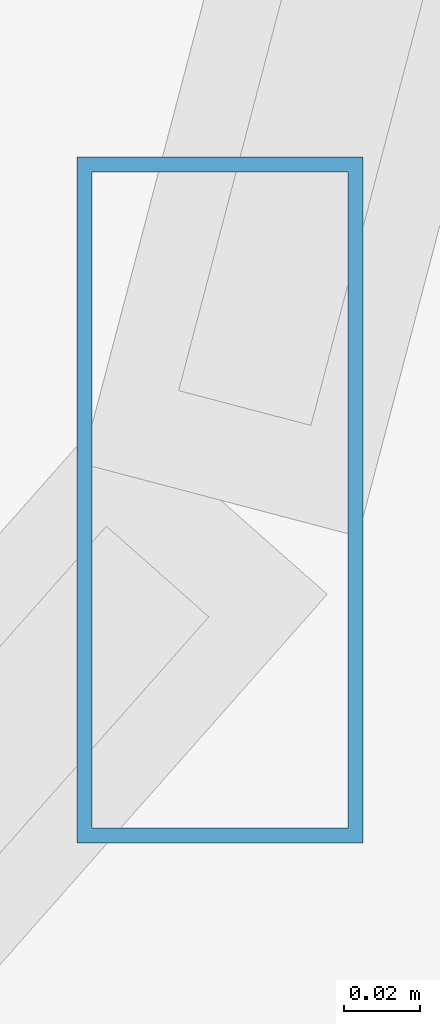
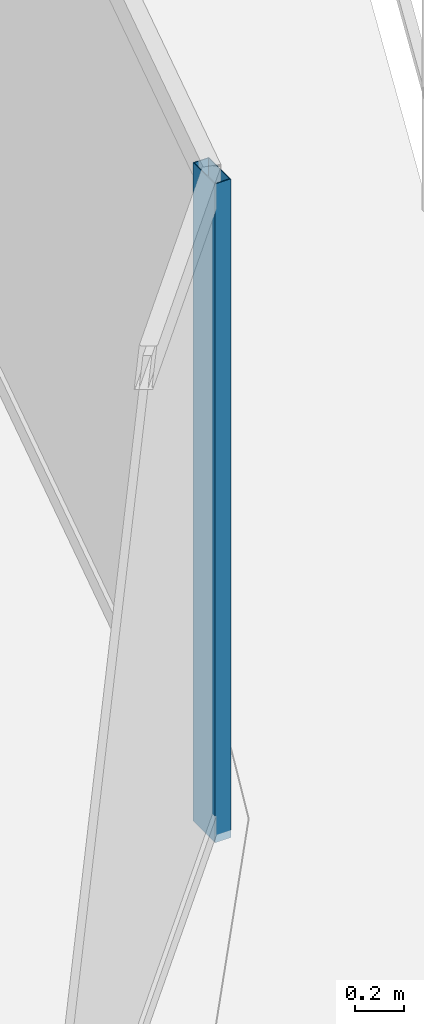
# One storey, part 13 of 30: 1 member, 1 element without a shape of its own.
"""IFC4 building model written with IfcOpenShell, lengths in metres."""

from ifc_helpers import new_model, si_unit, direction, frame, origin, origin_2d, place, context, subcontext, project, spatial, hollow_rectangle, extrude, material, material_profile, profile_set, type_object, element, aggregate, save


model = new_model("IFC4")

# Units and contexts
model_context = context("Model", 3, precision=1e-05, world=origin(), true_north=direction((0.0, 1.0)))
body_context = subcontext(model_context, "Body", "Model", "MODEL_VIEW")
ifc_project = project(units=[si_unit("LENGTHUNIT", "METRE"), si_unit("AREAUNIT", "SQUARE_METRE"), si_unit("VOLUMEUNIT", "CUBIC_METRE"), si_unit("PLANEANGLEUNIT", "RADIAN"), si_unit("MASSUNIT", "GRAM", prefix="KILO")], contexts=[model_context])

# Site, building, storey
site_placement = place(None, origin())
site = spatial("IfcSite", under=ifc_project, at=site_placement, CompositionType="ELEMENT")
building_placement = place(site_placement, origin())
building = spatial("IfcBuilding", under=site, at=building_placement, Name="Vorneva Point Tower", CompositionType="ELEMENT")
storey_placement = place(building_placement, frame((0.0, 0.0, 89.300048828125)))
storey = spatial("IfcBuildingStorey", under=building, at=storey_placement, Name="L23", CompositionType="ELEMENT", Elevation=89.300048828125)

# Curtain wall, member
ifc_material = material(Name="Pale anodised aluminium", Category="aluminium")
curtain_wall_type = type_object("IfcCurtainWallType", Name="CW-HTL-SYS", PredefinedType="NOTDEFINED", material=ifc_material)
curtain_wall_placement = place(storey_placement, origin())
curtain_wall = element("IfcCurtainWall", 1, at=curtain_wall_placement, inside=storey, type_object=curtain_wall_type, Name="L23 Unitised Curtain Wall CW-L23-R01", PredefinedType="NOTDEFINED")
ifc_material_profile = material_profile(ifc_material, hollow_rectangle(XDim=0.074951171875, YDim=0.179931640625, WallThickness=0.00390625, at=origin_2d()), Name="AL-MUL 180x75x4")
ifc_profile_set = profile_set([ifc_material_profile], Name="Pale anodised aluminium")
member_type = type_object("IfcMemberType", Name="CW-MUL-180", PredefinedType="MULLION", material=ifc_profile_set)
member_placement = place(storey_placement, frame((62.251708984375, 18.40380859375, -0.0400390625), z_axis=(0.0, 0.0, 1.0), x_axis=(1.0, 0.0, 0.0)))
member = element("IfcMember", 2, at=member_placement, type_object=member_type, Name="CW-L23-R01 Mullion 02", PredefinedType="MULLION", context=body_context, shape_type="SweptSolid", body=[
    extrude(hollow_rectangle(XDim=0.074951171875, YDim=0.179931640625, WallThickness=0.00390625, at=origin_2d()), origin(), (0.0, 0.0, 1.0), 3.31005859375),
])
aggregate(curtain_wall, [member])

save(model, "model.ifc")
